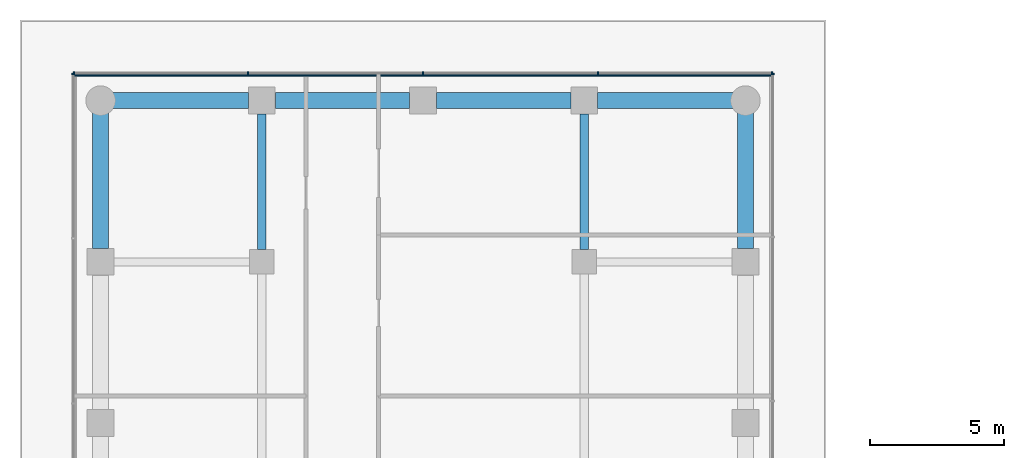
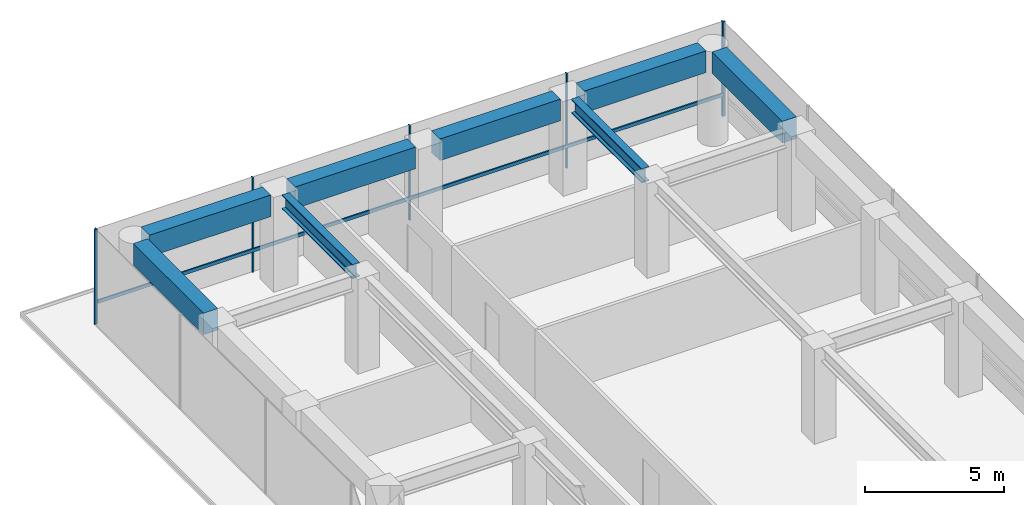
# One storey, part 19 of 24: 8 beams, 8 members, 3 elements without a shape of their own.
"""IFC4 building model written with IfcOpenShell, lengths in metres."""

from ifc_helpers import new_model, si_unit, direction, frame, origin, origin_2d, place, context, subcontext, project, spatial, rectangle, i_section, extrude, material, layer, layer_set, material_profile, profile_set, type_object, element, aggregate, save


model = new_model("IFC4")

# Units and contexts
model_context = context("Model", 3, precision=1e-05, world=origin(), true_north=direction((0.0, 1.0)))
body_context = subcontext(model_context, "Body", "Model", "MODEL_VIEW")
ifc_project = project(units=[si_unit("LENGTHUNIT", "METRE"), si_unit("AREAUNIT", "SQUARE_METRE"), si_unit("VOLUMEUNIT", "CUBIC_METRE"), si_unit("PLANEANGLEUNIT", "RADIAN"), si_unit("MASSUNIT", "GRAM", prefix="KILO")], contexts=[model_context])

# Site, building, storey
site_placement = place(None, origin())
site = spatial("IfcSite", under=ifc_project, at=site_placement, CompositionType="ELEMENT")
building_placement = place(site_placement, origin())
building = spatial("IfcBuilding", under=site, at=building_placement, Name="Welwitschia Terrace Campus", CompositionType="ELEMENT")
storey_placement = place(building_placement, frame((0.0, 0.0, 15.5)))
storey = spatial("IfcBuildingStorey", under=building, at=storey_placement, Name="L03", CompositionType="ELEMENT", Elevation=15.5)

# Beams
ifc_material_1 = material(Name="Steel S355", Category="steel")
ifc_material_profile_1 = material_profile(ifc_material_1, i_section(OverallWidth=0.304931640625, OverallDepth=0.6201171875, WebThickness=0.02099609375, FlangeThickness=0.0400390625, FilletRadius=0.027099609375, at=origin_2d()))
ifc_profile_set_1 = profile_set([ifc_material_profile_1], Name="Steel S355")
beam_type_1 = type_object("IfcBeamType", Name="Interior girder HE 600 M", PredefinedType="BEAM", material=ifc_profile_set_1)
for number, where, z_axis, x_axis, name in (
    (1, (6.0, 56.450439453125, 3.840087890625), (0.0, 1.0, 0.0), (-1.0, 0.0, 0.0), "Girder GB1"),
    (2, (18.0, 56.450439453125, 3.840087890625), (0.0, 1.0, 0.0), (-1.0, 0.0, 0.0), "Girder GB1"),
):
    element("IfcBeam", number, at=place(storey_placement, frame(where, z_axis=z_axis, x_axis=x_axis)), inside=storey, type_object=beam_type_1, Name=name, PredefinedType="BEAM", context=body_context, shape_type="SweptSolid", body=[
        extrude(i_section(OverallWidth=0.304931640625, OverallDepth=0.6201171875, WebThickness=0.02099609375, FlangeThickness=0.0400390625, FilletRadius=0.027099609375, at=origin_2d()), origin(), (0.0, 0.0, 1.0), 5.05908203125),
    ])

# Curtain wall, member
ifc_material_2 = material(Name="Bronze anodised aluminium", Category="aluminium")
ifc_layer = layer(ifc_material_2, 0.1201171875)
ifc_layer_set = layer_set([ifc_layer], Name="Bronze anodised aluminium")
curtain_wall_type = type_object("IfcCurtainWallType", Name="Curtain wall CW2 tower 6000", PredefinedType="NOTDEFINED", material=ifc_layer_set)
curtain_wall_1_placement = place(storey_placement, origin())
curtain_wall_1 = element("IfcCurtainWall", 3, at=curtain_wall_1_placement, inside=storey, type_object=curtain_wall_type, Name="CW L03.7.0", PredefinedType="NOTDEFINED")
ifc_material_3 = material(Name="Bronze anodised aluminium", Category="aluminium")
ifc_material_profile_2 = material_profile(ifc_material_3, rectangle(XDim=0.1201171875, YDim=0.06005859375, at=origin_2d()))
ifc_profile_set_2 = profile_set([ifc_material_profile_2], Name="Bronze anodised aluminium")
member_type_1 = type_object("IfcMemberType", Name="Mullion 60x120", PredefinedType="MULLION", material=ifc_profile_set_2)
member_1_placement = place(storey_placement, frame((25.02001953125, 62.989990234375, 0.0), z_axis=(0.0, 0.0, 1.0), x_axis=(-1.0, 0.0, 0.0)))
member_1 = element("IfcMember", 4, at=member_1_placement, type_object=member_type_1, Name="Mullion L03.7.0.6", PredefinedType="MULLION", context=body_context, shape_type="SweptSolid", body=[
    extrude(rectangle(XDim=0.1201171875, YDim=0.06005859375, at=origin_2d()), origin(), (0.0, 0.0, 1.0), 4.14990234375),
])
aggregate(curtain_wall_1, [member_1])

# Curtain wall, members
curtain_wall_2_placement = place(storey_placement, origin())
curtain_wall_2 = element("IfcCurtainWall", 5, at=curtain_wall_2_placement, inside=storey, type_object=curtain_wall_type, Name="CW L03.8.0", PredefinedType="NOTDEFINED")
member_2_placement = place(storey_placement, frame((24.989990234375, 63.02001953125, 0.0), z_axis=(0.0, 0.0, 1.0), x_axis=(0.0, -1.0, 0.0)))
member_2 = element("IfcMember", 6, at=member_2_placement, type_object=member_type_1, Name="Mullion L03.8.0.0", PredefinedType="MULLION", context=body_context, shape_type="SweptSolid", body=[
    extrude(rectangle(XDim=0.1201171875, YDim=0.06005859375, at=origin_2d()), origin(), (0.0, 0.0, 1.0), 4.14990234375),
])
member_3_placement = place(storey_placement, frame((18.510009765625, 63.02001953125, 0.0), z_axis=(0.0, 0.0, 1.0), x_axis=(0.0, -1.0, 0.0)))
member_3 = element("IfcMember", 7, at=member_3_placement, type_object=member_type_1, Name="Mullion L03.8.0.1", PredefinedType="MULLION", context=body_context, shape_type="SweptSolid", body=[
    extrude(rectangle(XDim=0.1201171875, YDim=0.06005859375, at=origin_2d()), origin(), (0.0, 0.0, 1.0), 4.14990234375),
])
member_4_placement = place(storey_placement, frame((12.0, 63.02001953125, 0.0), z_axis=(0.0, 0.0, 1.0), x_axis=(0.0, -1.0, 0.0)))
member_4 = element("IfcMember", 8, at=member_4_placement, type_object=member_type_1, Name="Mullion L03.8.0.2", PredefinedType="MULLION", context=body_context, shape_type="SweptSolid", body=[
    extrude(rectangle(XDim=0.1201171875, YDim=0.06005859375, at=origin_2d()), origin(), (0.0, 0.0, 1.0), 4.14990234375),
])
member_5_placement = place(storey_placement, frame((5.489990234375, 63.02001953125, 0.0), z_axis=(0.0, 0.0, 1.0), x_axis=(0.0, -1.0, 0.0)))
member_5 = element("IfcMember", 9, at=member_5_placement, type_object=member_type_1, Name="Mullion L03.8.0.3", PredefinedType="MULLION", context=body_context, shape_type="SweptSolid", body=[
    extrude(rectangle(XDim=0.1201171875, YDim=0.06005859375, at=origin_2d()), origin(), (0.0, 0.0, 1.0), 4.14990234375),
])
member_6_placement = place(storey_placement, frame((-0.989990234375, 63.02001953125, 0.0), z_axis=(0.0, 0.0, 1.0), x_axis=(0.0, -1.0, 0.0)))
member_6 = element("IfcMember", 10, at=member_6_placement, type_object=member_type_1, Name="Mullion L03.8.0.4", PredefinedType="MULLION", context=body_context, shape_type="SweptSolid", body=[
    extrude(rectangle(XDim=0.1201171875, YDim=0.06005859375, at=origin_2d()), origin(), (0.0, 0.0, 1.0), 4.14990234375),
])

# Curtain wall, member
curtain_wall_3_placement = place(storey_placement, origin())
curtain_wall_3 = element("IfcCurtainWall", 11, at=curtain_wall_3_placement, inside=storey, type_object=curtain_wall_type, Name="CW L03.9.0", PredefinedType="NOTDEFINED")
member_7_placement = place(storey_placement, frame((-1.02001953125, 62.989990234375, 0.0), z_axis=(0.0, 0.0, 1.0), x_axis=(1.0, 0.0, 0.0)))
member_7 = element("IfcMember", 12, at=member_7_placement, type_object=member_type_1, Name="Mullion L03.9.0.0", PredefinedType="MULLION", context=body_context, shape_type="SweptSolid", body=[
    extrude(rectangle(XDim=0.1201171875, YDim=0.06005859375, at=origin_2d()), origin(), (0.0, 0.0, 1.0), 4.14990234375),
])
aggregate(curtain_wall_3, [member_7])

# Beams
ifc_material_4 = material(Name="Concrete C60/75", Category="concrete")
ifc_material_profile_3 = material_profile(ifc_material_4, rectangle(XDim=0.60009765625, YDim=0.949951171875, at=origin_2d()))
ifc_profile_set_3 = profile_set([ifc_material_profile_3], Name="Concrete C60/75")
beam_type_2 = type_object("IfcBeamType", Name="Ring spandrel 600x950", PredefinedType="SPANDREL", material=ifc_profile_set_3)
for number, where, z_axis, x_axis, name in (
    (13, (24.0, 56.50048828125, 3.675048828125), (0.0, 1.0, 0.0), (-1.0, 0.0, 0.0), "Spandrel SP1"),
    (14, (23.53857421875, 62.0, 3.675048828125), (-1.0, 0.0, 0.0), (0.0, -1.0, 0.0), "Spandrel SP1"),
):
    element("IfcBeam", number, at=place(storey_placement, frame(where, z_axis=z_axis, x_axis=x_axis)), inside=storey, type_object=beam_type_2, Name=name, PredefinedType="SPANDREL", context=body_context, shape_type="SweptSolid", body=[
        extrude(rectangle(XDim=0.60009765625, YDim=0.949951171875, at=origin_2d()), origin(), (0.0, 0.0, 1.0), 5.0380859375),
    ])
for number, where, z_axis, x_axis, name in (
    (15, (17.49951171875, 62.0, 3.675048828125), (-1.0, 0.0, 0.0), (0.0, -1.0, 0.0), "Spandrel SP1"),
    (16, (11.49951171875, 62.0, 3.675048828125), (-1.0, 0.0, 0.0), (0.0, -1.0, 0.0), "Spandrel SP1"),
):
    element("IfcBeam", number, at=place(storey_placement, frame(where, z_axis=z_axis, x_axis=x_axis)), inside=storey, type_object=beam_type_2, Name=name, PredefinedType="SPANDREL", context=body_context, shape_type="SweptSolid", body=[
        extrude(rectangle(XDim=0.60009765625, YDim=0.949951171875, at=origin_2d()), origin(), (0.0, 0.0, 1.0), 4.9990234375),
    ])
for number, where, z_axis, x_axis, name in (
    (17, (5.49951171875, 62.0, 3.675048828125), (-1.0, 0.0, 0.0), (0.0, -1.0, 0.0), "Spandrel SP1"),
    (18, (0.0, 61.53857421875, 3.675048828125), (0.0, -1.0, 0.0), (1.0, 0.0, 0.0), "Spandrel SP1"),
):
    element("IfcBeam", number, at=place(storey_placement, frame(where, z_axis=z_axis, x_axis=x_axis)), inside=storey, type_object=beam_type_2, Name=name, PredefinedType="SPANDREL", context=body_context, shape_type="SweptSolid", body=[
        extrude(rectangle(XDim=0.60009765625, YDim=0.949951171875, at=origin_2d()), origin(), (0.0, 0.0, 1.0), 5.0380859375),
    ])

# Member
ifc_material_5 = material(Name="Bronze anodised aluminium", Category="aluminium")
ifc_material_profile_4 = material_profile(ifc_material_5, rectangle(XDim=0.06005859375, YDim=0.14990234375, at=origin_2d()))
ifc_profile_set_4 = profile_set([ifc_material_profile_4], Name="Bronze anodised aluminium")
member_type_2 = type_object("IfcMemberType", Name="Transom 60x150", PredefinedType="USERDEFINED", material=ifc_profile_set_4)
member_8_placement = place(storey_placement, frame((24.9599609375, 62.929931640625, 1.0), z_axis=(-1.0, 0.0, 0.0), x_axis=(0.0, -1.0, 0.0)))
member_8 = element("IfcMember", 19, at=member_8_placement, type_object=member_type_2, Name="Transom L03.8.0", ObjectType="TRANSOM", PredefinedType="USERDEFINED", context=body_context, shape_type="SweptSolid", body=[
    extrude(rectangle(XDim=0.06005859375, YDim=0.14990234375, at=origin_2d()), origin(), (0.0, 0.0, 1.0), 25.919921875),
])

aggregate(curtain_wall_2, [member_2, member_3, member_4, member_5, member_6, member_8])

save(model, "model.ifc")
